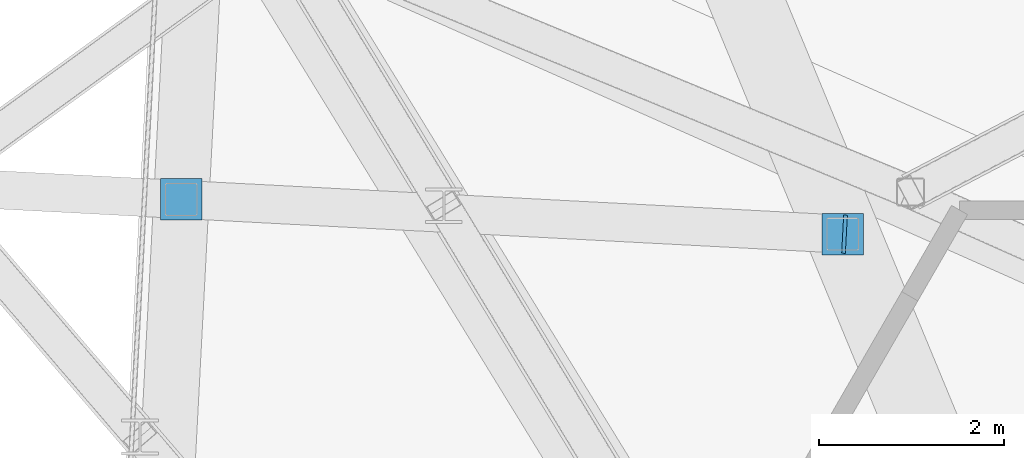
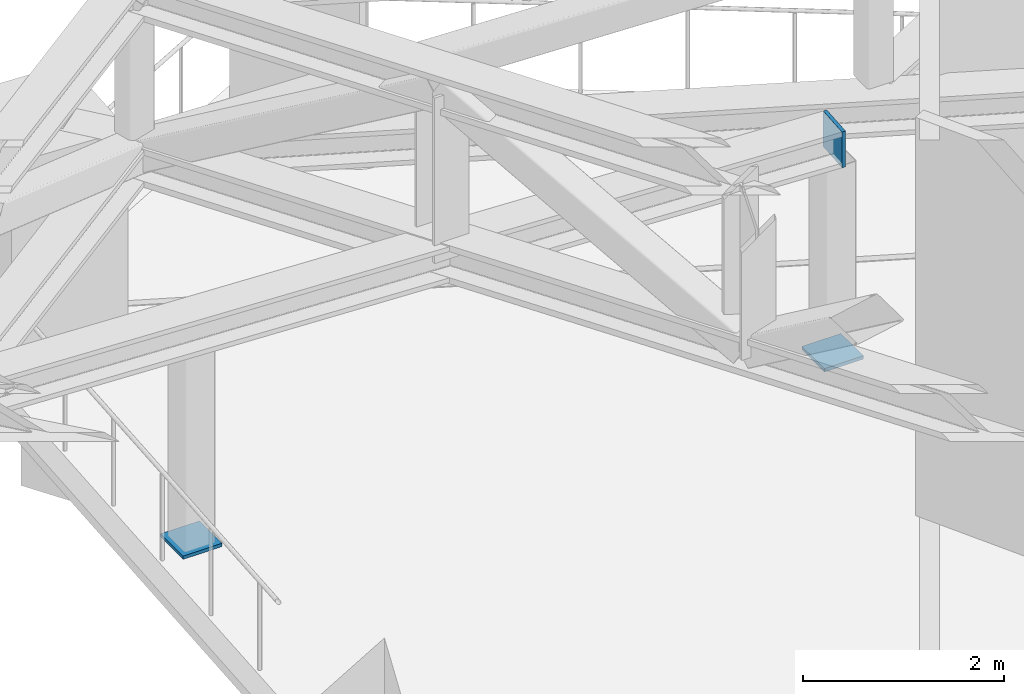
# One storey, part 21 of 26: 3 discrete accessories.
"""IFC4 building model written with IfcOpenShell, lengths in metres."""

from ifc_helpers import new_model, si_unit, direction, frame, origin, origin_2d, place, context, subcontext, project, spatial, rectangle, extrude, material, layer, layer_set, type_object, element, save


model = new_model("IFC4")

# Units and contexts
model_context = context("Model", 3, precision=1e-05, world=origin(), true_north=direction((0.0, 1.0)))
body_context = subcontext(model_context, "Body", "Model", "MODEL_VIEW")
ifc_project = project(units=[si_unit("LENGTHUNIT", "METRE"), si_unit("AREAUNIT", "SQUARE_METRE"), si_unit("VOLUMEUNIT", "CUBIC_METRE"), si_unit("PLANEANGLEUNIT", "RADIAN"), si_unit("MASSUNIT", "GRAM", prefix="KILO")], contexts=[model_context])

# Site, building, storey
site_placement = place(None, origin())
site = spatial("IfcSite", under=ifc_project, at=site_placement, CompositionType="ELEMENT")
building_placement = place(site_placement, origin())
building = spatial("IfcBuilding", under=site, at=building_placement, Name="Tramontana Tower", CompositionType="ELEMENT")
storey_placement = place(building_placement, frame((0.0, 0.0, 157.60009765625)))
storey = spatial("IfcBuildingStorey", under=building, at=storey_placement, Name="L36", CompositionType="ELEMENT", Elevation=157.60009765625)

# Discrete accessories
ifc_material_1 = material(Name="Steel ASTM A572 Grade 50", Category="steel")
ifc_layer_1 = layer(ifc_material_1, 0.0400390625)
ifc_layer_set_1 = layer_set([ifc_layer_1], Name="Base plate 450X450X40")
discrete_accessory_type_1 = type_object("IfcDiscreteAccessoryType", Name="Base plate 450X450X40", PredefinedType="ANCHORPLATE", material=ifc_layer_set_1)
for number, where, z_axis, x_axis, name in (
    (1, (-15.940673828125, 21.614501953125, 0.0), (0.0, 0.0, 1.0), (1.0, 0.0, 0.0), "Transfer truss post base plate C4K1.1"),
    (2, (-8.772705078125, 21.23876953125, 0.0), (0.0, 0.0, 1.0), (1.0, 0.0, 0.0), "Transfer truss post base plate C4K1.2"),
):
    element("IfcDiscreteAccessory", number, at=place(storey_placement, frame(where, z_axis=z_axis, x_axis=x_axis)), inside=storey, type_object=discrete_accessory_type_1, Name=name, PredefinedType="ANCHORPLATE", context=body_context, shape_type="SweptSolid", body=[
        extrude(rectangle(XDim=0.449951171875, YDim=0.449951171875, at=origin_2d()), origin(), (0.0, 0.0, 1.0), 0.0400390625),
    ])
ifc_material_2 = material(Name="Steel ASTM A572 Grade 50", Category="steel")
ifc_layer_2 = layer(ifc_material_2, 0.0400390625)
ifc_layer_set_2 = layer_set([ifc_layer_2], Name="End plate 413X435X40")
discrete_accessory_type_2 = type_object("IfcDiscreteAccessoryType", Name="End plate 413X435X40", PredefinedType="ANCHORPLATE", material=ifc_layer_set_2)
discrete_accessory_placement = place(storey_placement, frame((-8.752685546875, 21.23779296875, 2.39990234375), z_axis=(0.0, 0.0, 1.0), x_axis=(-0.052335956243, -0.998629534755, 0.0)))
element("IfcDiscreteAccessory", 3, at=discrete_accessory_placement, inside=storey, type_object=discrete_accessory_type_2, Name="Transfer truss girder end plate C4K1.2", PredefinedType="ANCHORPLATE", context=body_context, shape_type="SweptSolid", body=[
    extrude(rectangle(XDim=0.412841796875, YDim=0.0400390625, at=origin_2d()), origin(), (0.0, 0.0, 1.0), 0.43505859375),
])

save(model, "model.ifc")
